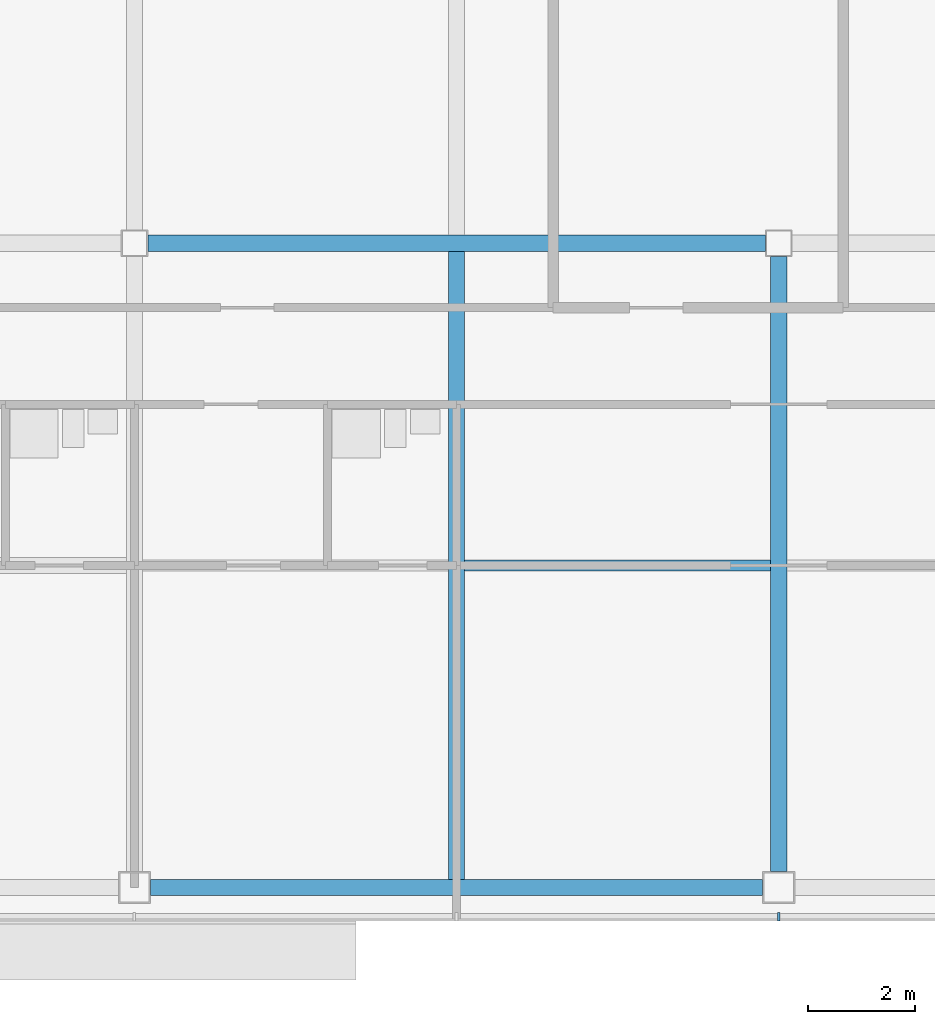
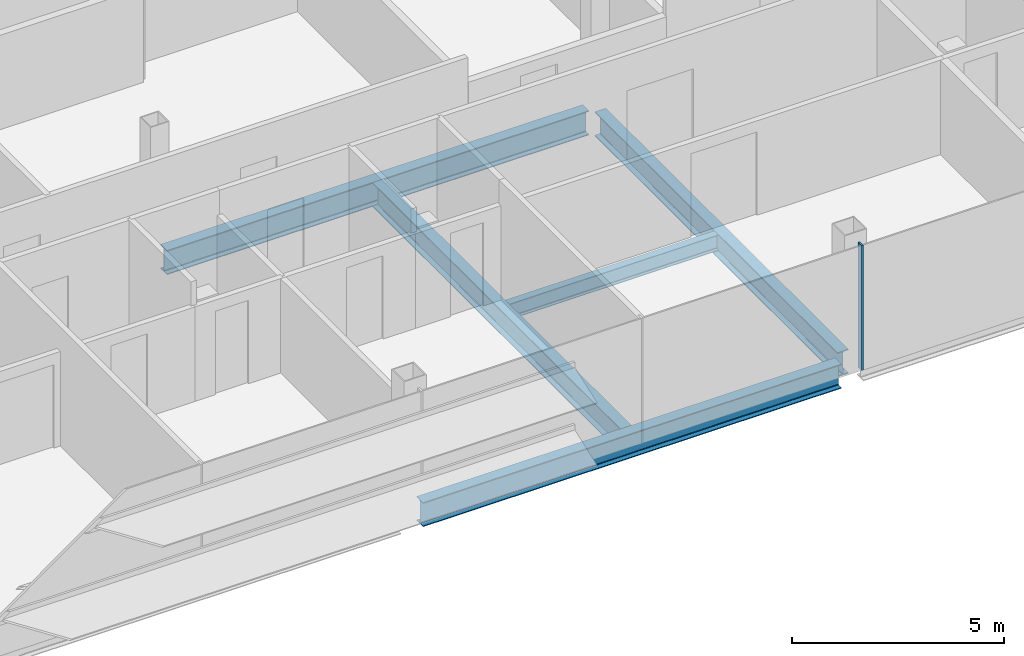
# One storey, part 4 of 27: 5 beams, 1 member, 1 element without a shape of its own.
"""IFC4 building model written with IfcOpenShell, lengths in metres."""

from ifc_helpers import new_model, si_unit, direction, frame, origin, origin_2d, place, context, subcontext, project, spatial, rectangle, i_section, extrude, material, material_profile, profile_set, type_object, element, aggregate, save


model = new_model("IFC4")

# Units and contexts
model_context = context("Model", 3, precision=1e-05, world=origin(), true_north=direction((0.0, 1.0)))
body_context = subcontext(model_context, "Body", "Model", "MODEL_VIEW")
ifc_project = project(units=[si_unit("LENGTHUNIT", "METRE"), si_unit("AREAUNIT", "SQUARE_METRE"), si_unit("VOLUMEUNIT", "CUBIC_METRE"), si_unit("PLANEANGLEUNIT", "RADIAN"), si_unit("MASSUNIT", "GRAM", prefix="KILO")], contexts=[model_context])

# Site, building, storey
site_placement = place(None, origin())
site = spatial("IfcSite", under=ifc_project, at=site_placement, CompositionType="ELEMENT")
building_placement = place(site_placement, origin())
building = spatial("IfcBuilding", under=site, at=building_placement, Name="Sorahane Residences", CompositionType="ELEMENT")
storey_placement = place(building_placement, frame((0.0, 0.0, 294.39990234375)))
storey = spatial("IfcBuildingStorey", under=building, at=storey_placement, Name="L69", CompositionType="ELEMENT", Elevation=294.39990234375)

# Curtain wall, member
ifc_material_1 = material(Name="Dark low-e glass and black anodised aluminium", Category="aluminium")
curtain_wall_type = type_object("IfcCurtainWallType", Name="Curtain wall CW-1 Typical unitised wall", PredefinedType="NOTDEFINED", material=ifc_material_1)
curtain_wall_placement = place(storey_placement, origin())
curtain_wall = element("IfcCurtainWall", 1, at=curtain_wall_placement, inside=storey, type_object=curtain_wall_type, Name="CW-1 curtain wall L69 S1", PredefinedType="NOTDEFINED")
ifc_material_2 = material(Name="Black anodised aluminium", Category="aluminium")
ifc_material_profile_1 = material_profile(ifc_material_2, rectangle(XDim=0.159912109375, YDim=0.050048828125, at=origin_2d()), Name="Curtain wall mullion CW-1 black anodised aluminium 50x160")
ifc_profile_set_1 = profile_set([ifc_material_profile_1], Name="Black anodised aluminium")
member_type = type_object("IfcMemberType", Name="Curtain wall mullion CW-1 black anodised aluminium 50x160", PredefinedType="MULLION", material=ifc_profile_set_1)
member_placement = place(storey_placement, frame((12.0, -0.5400390625, -0.179931640625), z_axis=(0.0, 0.0, 1.0), x_axis=(0.0, -1.0, 0.0)))
member = element("IfcMember", 2, at=member_placement, type_object=member_type, Name="CW-1 mullion L69 S1.5", PredefinedType="MULLION", context=body_context, shape_type="SweptSolid", body=[
    extrude(rectangle(XDim=0.159912109375, YDim=0.050048828125, at=origin_2d()), origin(), (0.0, 0.0, 1.0), 3.60009765625),
])
aggregate(curtain_wall, [member])

# Beams
ifc_material_3 = material(Name="Steel Q355B", Category="steel")
ifc_material_profile_2 = material_profile(ifc_material_3, i_section(OverallWidth=0.199951171875, OverallDepth=0.449951171875, WebThickness=0.009033203125, FlangeThickness=0.013916015625, FilletRadius=0.02001953125, at=origin_2d()), Name="HN 450x200x9x14")
ifc_profile_set_2 = profile_set([ifc_material_profile_2], Name="Steel Q355B")
beam_type_1 = type_object("IfcBeamType", Name="Steel floor beam HN 450x200x9x14 Q355B", PredefinedType="BEAM", material=ifc_profile_set_2)
beam_1_placement = place(storey_placement, frame((6.14990234375, 6.0, -0.40478515625), z_axis=(1.0, 0.0, 0.0), x_axis=(0.0, 1.0, 0.0)))
element("IfcBeam", 3, at=beam_1_placement, inside=storey, type_object=beam_type_1, Name="Beam L69 069", PredefinedType="BEAM", context=body_context, shape_type="SweptSolid", body=[
    extrude(i_section(OverallWidth=0.199951171875, OverallDepth=0.449951171875, WebThickness=0.009033203125, FlangeThickness=0.013916015625, FilletRadius=0.02001953125, at=origin_2d()), origin(), (0.0, 0.0, 1.0), 5.7001953125),
])
ifc_material_4 = material(Name="Steel Q355B", Category="steel")
ifc_material_profile_3 = material_profile(ifc_material_4, i_section(OverallWidth=0.300048828125, OverallDepth=0.699951171875, WebThickness=0.012939453125, FlangeThickness=0.02392578125, FilletRadius=0.028076171875, at=origin_2d()), Name="HN 700x300x13x24")
ifc_profile_set_3 = profile_set([ifc_material_profile_3], Name="Steel Q355B")
beam_type_2 = type_object("IfcBeamType", Name="Steel floor beam HN 700x300x13x24 Q355B", PredefinedType="BEAM", material=ifc_profile_set_3)
beam_2_placement = place(storey_placement, frame((0.300048828125, 0.0, -0.52978515625), z_axis=(1.0, 0.0, 0.0), x_axis=(0.0, 1.0, 0.0)))
element("IfcBeam", 4, at=beam_2_placement, inside=storey, type_object=beam_type_2, Name="Beam L69 001", PredefinedType="BEAM", context=body_context, shape_type="SweptSolid", body=[
    extrude(i_section(OverallWidth=0.300048828125, OverallDepth=0.699951171875, WebThickness=0.012939453125, FlangeThickness=0.02392578125, FilletRadius=0.028076171875, at=origin_2d()), origin(), (0.0, 0.0, 1.0), 11.39990234375),
])
beam_3_placement = place(storey_placement, frame((0.25, 12.0, -0.52978515625), z_axis=(1.0, 0.0, 0.0), x_axis=(0.0, 1.0, 0.0)))
element("IfcBeam", 5, at=beam_3_placement, inside=storey, type_object=beam_type_2, Name="Beam L69 007", PredefinedType="BEAM", context=body_context, shape_type="SweptSolid", body=[
    extrude(i_section(OverallWidth=0.300048828125, OverallDepth=0.699951171875, WebThickness=0.012939453125, FlangeThickness=0.02392578125, FilletRadius=0.028076171875, at=origin_2d()), origin(), (0.0, 0.0, 1.0), 11.5),
])
beam_4_placement = place(storey_placement, frame((6.0, 0.14990234375, -0.52978515625), z_axis=(0.0, 1.0, 0.0), x_axis=(-1.0, 0.0, 0.0)))
element("IfcBeam", 6, at=beam_4_placement, inside=storey, type_object=beam_type_2, Name="Beam L69 032", PredefinedType="BEAM", context=body_context, shape_type="SweptSolid", body=[
    extrude(i_section(OverallWidth=0.300048828125, OverallDepth=0.699951171875, WebThickness=0.012939453125, FlangeThickness=0.02392578125, FilletRadius=0.028076171875, at=origin_2d()), origin(), (0.0, 0.0, 1.0), 11.7001953125),
])
beam_5_placement = place(storey_placement, frame((12.0, 0.300048828125, -0.52978515625), z_axis=(0.0, 1.0, 0.0), x_axis=(-1.0, 0.0, 0.0)))
element("IfcBeam", 7, at=beam_5_placement, inside=storey, type_object=beam_type_2, Name="Beam L69 038", PredefinedType="BEAM", context=body_context, shape_type="SweptSolid", body=[
    extrude(i_section(OverallWidth=0.300048828125, OverallDepth=0.699951171875, WebThickness=0.012939453125, FlangeThickness=0.02392578125, FilletRadius=0.028076171875, at=origin_2d()), origin(), (0.0, 0.0, 1.0), 11.449951171875),
])

save(model, "model.ifc")
